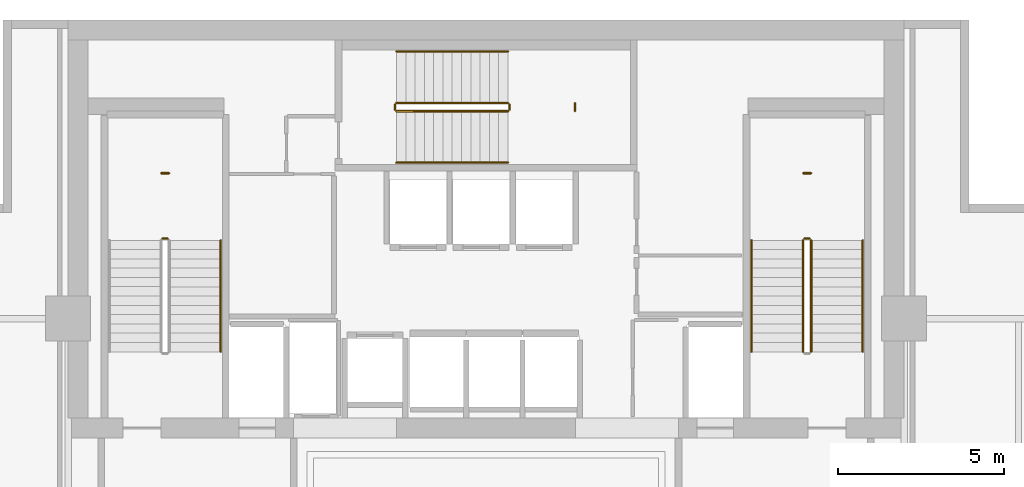
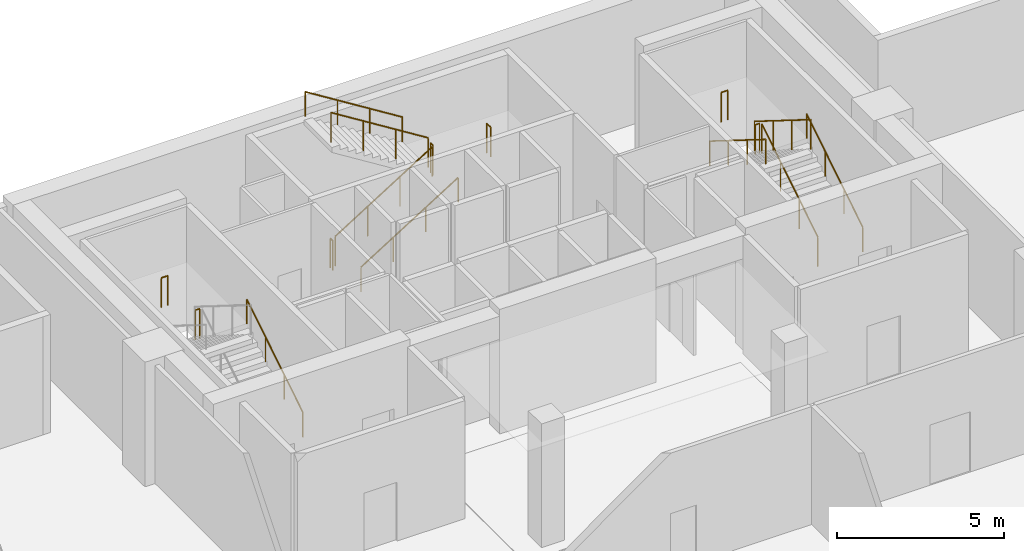
# One storey, part 23 of 23: 16 railings.
"""IFC4 building model written with IfcOpenShell, lengths in metres."""

from ifc_helpers import new_model, si_unit, direction, frame, origin, origin_2d, place, context, subcontext, project, spatial, circle, extrude, material, type_object, element, save


model = new_model("IFC4")

# Units and contexts
model_context = context("Model", 3, precision=1e-05, world=origin(), true_north=direction((0.0, 1.0)))
body_context = subcontext(model_context, "Body", "Model", "MODEL_VIEW")
ifc_project = project(units=[si_unit("LENGTHUNIT", "METRE"), si_unit("AREAUNIT", "SQUARE_METRE"), si_unit("VOLUMEUNIT", "CUBIC_METRE"), si_unit("PLANEANGLEUNIT", "RADIAN"), si_unit("MASSUNIT", "GRAM", prefix="KILO")], contexts=[model_context])

# Site, building, storey
site_placement = place(None, origin())
site = spatial("IfcSite", under=ifc_project, at=site_placement, CompositionType="ELEMENT")
building_placement = place(site_placement, origin())
building = spatial("IfcBuilding", under=site, at=building_placement, Name="Maruvema Waterfront Hotel and Observation Tower", CompositionType="ELEMENT")
storey_placement = place(building_placement, frame((0.0, 0.0, 345.10009765625)))
storey = spatial("IfcBuildingStorey", under=building, at=storey_placement, Name="L85", CompositionType="ELEMENT", Elevation=345.10009765625)

# Railings
ifc_material_1 = material(Name="Brushed stainless steel Grade 316", Category="steel")
railing_type_1 = type_object("IfcRailingType", Name="Ramp Continuous Wall Handrail 920 mm", PredefinedType="HANDRAIL", material=ifc_material_1)
railing_1_placement = place(storey_placement, frame((29.800048828125, 44.0, 0.1748046875)))
element("IfcRailing", 1, at=railing_1_placement, inside=storey, type_object=railing_type_1, Name="L85 ST-01 stair handrail 1", PredefinedType="HANDRAIL", context=body_context, shape_type="SweptSolid", body=[
    extrude(circle(Radius=0.02392578125, at=origin_2d()), frame((0.0, 0.0, 0.89599609375), z_axis=(0.0, 0.847994842521, 0.530004478338), x_axis=(-1.0, 0.0, 0.0)), (0.0, 0.0, 1.0), 3.96240234375),
    extrude(circle(Radius=0.02099609375, at=origin_2d()), origin(), (0.0, 0.0, 1.0), 0.871826171875),
    extrude(circle(Radius=0.02099609375, at=origin_2d()), frame((0.0, 1.1201171875, 0.699951171875)), (0.0, 0.0, 1.0), 0.871826171875),
    extrude(circle(Radius=0.02099609375, at=origin_2d()), frame((0.0, 2.239990234375, 1.400146484375)), (0.0, 0.0, 1.0), 0.871826171875),
    extrude(circle(Radius=0.02099609375, at=origin_2d()), frame((0.0, 3.360107421875, 2.10009765625)), (0.0, 0.0, 1.0), 0.871826171875),
])
railing_2_placement = place(storey_placement, frame((35.10009765625, 49.699951171875, 0.1748046875)))
element("IfcRailing", 2, at=railing_2_placement, inside=storey, type_object=railing_type_1, Name="L85 ST-02 stair handrail 1", PredefinedType="HANDRAIL", context=body_context, shape_type="SweptSolid", body=[
    extrude(circle(Radius=0.02392578125, at=origin_2d()), frame((0.0, 0.0, 0.89599609375), z_axis=(0.847977533471, 0.0, 0.530032171408), x_axis=(0.0, 1.0, 0.0)), (0.0, 0.0, 1.0), 3.962158203125),
    extrude(circle(Radius=0.02099609375, at=origin_2d()), origin(), (0.0, 0.0, 1.0), 0.871826171875),
    extrude(circle(Radius=0.02099609375, at=origin_2d()), frame((1.119873046875, 0.0, 0.699951171875)), (0.0, 0.0, 1.0), 0.871826171875),
    extrude(circle(Radius=0.02099609375, at=origin_2d()), frame((2.239990234375, 0.0, 1.400146484375)), (0.0, 0.0, 1.0), 0.871826171875),
    extrude(circle(Radius=0.02099609375, at=origin_2d()), frame((3.35986328125, 0.0, 2.10009765625)), (0.0, 0.0, 1.0), 0.871826171875),
])
railing_3_placement = place(storey_placement, frame((38.4599609375, 53.050048828125, 2.449951171875)))
element("IfcRailing", 3, at=railing_3_placement, inside=storey, type_object=railing_type_1, Name="L85 ST-02 stair handrail 2", PredefinedType="HANDRAIL", context=body_context, shape_type="SweptSolid", body=[
    extrude(circle(Radius=0.02392578125, at=origin_2d()), frame((0.0, 0.0, 0.89599609375), z_axis=(-0.848005227453, 0.0, 0.529987862325), x_axis=(0.0, -1.0, 0.0)), (0.0, 0.0, 1.0), 3.962158203125),
    extrude(circle(Radius=0.02099609375, at=origin_2d()), origin(), (0.0, 0.0, 1.0), 0.871826171875),
    extrude(circle(Radius=0.02099609375, at=origin_2d()), frame((-1.119873046875, 0.0, 0.699951171875)), (0.0, 0.0, 1.0), 0.871826171875),
    extrude(circle(Radius=0.02099609375, at=origin_2d()), frame((-2.239990234375, 0.0, 1.39990234375)), (0.0, 0.0, 1.0), 0.871826171875),
    extrude(circle(Radius=0.02099609375, at=origin_2d()), frame((-3.35986328125, 0.0, 2.099853515625)), (0.0, 0.0, 1.0), 0.871826171875),
])
railing_4_placement = place(storey_placement, frame((49.14990234375, 44.0, 0.1748046875)))
element("IfcRailing", 4, at=railing_4_placement, inside=storey, type_object=railing_type_1, Name="L85 ST-03 stair handrail 1", PredefinedType="HANDRAIL", context=body_context, shape_type="SweptSolid", body=[
    extrude(circle(Radius=0.02392578125, at=origin_2d()), frame((0.0, 0.0, 0.89599609375), z_axis=(0.0, 0.847994842521, 0.530004478338), x_axis=(-1.0, 0.0, 0.0)), (0.0, 0.0, 1.0), 3.96240234375),
    extrude(circle(Radius=0.02099609375, at=origin_2d()), origin(), (0.0, 0.0, 1.0), 0.871826171875),
    extrude(circle(Radius=0.02099609375, at=origin_2d()), frame((0.0, 1.1201171875, 0.699951171875)), (0.0, 0.0, 1.0), 0.871826171875),
    extrude(circle(Radius=0.02099609375, at=origin_2d()), frame((0.0, 2.239990234375, 1.400146484375)), (0.0, 0.0, 1.0), 0.871826171875),
    extrude(circle(Radius=0.02099609375, at=origin_2d()), frame((0.0, 3.360107421875, 2.10009765625)), (0.0, 0.0, 1.0), 0.871826171875),
])
railing_5_placement = place(storey_placement, frame((45.800048828125, 47.360107421875, 2.449951171875)))
element("IfcRailing", 5, at=railing_5_placement, inside=storey, type_object=railing_type_1, Name="L85 ST-03 stair handrail 2", PredefinedType="HANDRAIL", context=body_context, shape_type="SweptSolid", body=[
    extrude(circle(Radius=0.02392578125, at=origin_2d()), frame((0.0, 0.0, 0.89599609375), z_axis=(0.0, -0.848022534174, 0.529960169762), x_axis=(1.0, 0.0, 0.0)), (0.0, 0.0, 1.0), 3.96240234375),
    extrude(circle(Radius=0.02099609375, at=origin_2d()), origin(), (0.0, 0.0, 1.0), 0.871826171875),
    extrude(circle(Radius=0.02099609375, at=origin_2d()), frame((0.0, -1.1201171875, 0.699951171875)), (0.0, 0.0, 1.0), 0.871826171875),
    extrude(circle(Radius=0.02099609375, at=origin_2d()), frame((0.0, -2.239990234375, 1.39990234375)), (0.0, 0.0, 1.0), 0.871826171875),
    extrude(circle(Radius=0.02099609375, at=origin_2d()), frame((0.0, -3.360107421875, 2.099853515625)), (0.0, 0.0, 1.0), 0.871826171875),
])
ifc_material_2 = material(Name="Brushed stainless steel Grade 316", Category="steel")
railing_type_2 = type_object("IfcRailingType", Name="Ramp and Terrace Guard Balustrade 1100 mm", PredefinedType="BALUSTRADE", material=ifc_material_2)
railing_6_placement = place(storey_placement, frame((28.199951171875, 47.409912109375, 2.27490234375)))
element("IfcRailing", 6, at=railing_6_placement, inside=storey, type_object=railing_type_2, Name="L85 ST-01 stair guard 2", PredefinedType="BALUSTRADE", context=body_context, shape_type="SweptSolid", body=[
    extrude(circle(Radius=0.02392578125, at=origin_2d()), frame((0.0, 0.0, 1.076171875), z_axis=(-1.0, 0.0, 0.0), x_axis=(0.0, -1.0, 0.0)), (0.0, 0.0, 1.0), 0.14990234375),
    extrude(circle(Radius=0.02099609375, at=origin_2d()), origin(), (0.0, 0.0, 1.0), 1.052001953125),
    extrude(circle(Radius=0.02099609375, at=origin_2d()), frame((-0.14990234375, 0.0, 0.0)), (0.0, 0.0, 1.0), 1.052001953125),
])
railing_7_placement = place(storey_placement, frame((28.239990234375, 49.3798828125, 2.27490234375)))
element("IfcRailing", 7, at=railing_7_placement, inside=storey, type_object=railing_type_2, Name="L85 ST-01 Half-Landing Slot Guard", PredefinedType="BALUSTRADE", context=body_context, shape_type="SweptSolid", body=[
    extrude(circle(Radius=0.02392578125, at=origin_2d()), frame((0.0, 0.0, 1.076171875), z_axis=(-1.0, 0.0, 0.0), x_axis=(0.0, -1.0, 0.0)), (0.0, 0.0, 1.0), 0.22998046875),
    extrude(circle(Radius=0.02099609375, at=origin_2d()), origin(), (0.0, 0.0, 1.0), 1.052001953125),
    extrude(circle(Radius=0.02099609375, at=origin_2d()), frame((-0.22998046875, 0.0, 0.0)), (0.0, 0.0, 1.0), 1.052001953125),
])
railing_8_placement = place(storey_placement, frame((35.10009765625, 51.25, 0.1748046875)))
element("IfcRailing", 8, at=railing_8_placement, inside=storey, type_object=railing_type_2, Name="L85 ST-02 stair guard 1", PredefinedType="BALUSTRADE", context=body_context, shape_type="SweptSolid", body=[
    extrude(circle(Radius=0.02392578125, at=origin_2d()), frame((0.0, 0.0, 1.076171875), z_axis=(0.847977533471, 0.0, 0.530032171408), x_axis=(0.0, 1.0, 0.0)), (0.0, 0.0, 1.0), 3.962158203125),
    extrude(circle(Radius=0.02099609375, at=origin_2d()), origin(), (0.0, 0.0, 1.0), 1.052001953125),
    extrude(circle(Radius=0.02099609375, at=origin_2d()), frame((1.119873046875, 0.0, 0.699951171875)), (0.0, 0.0, 1.0), 1.052001953125),
    extrude(circle(Radius=0.02099609375, at=origin_2d()), frame((2.239990234375, 0.0, 1.400146484375)), (0.0, 0.0, 1.0), 1.052001953125),
    extrude(circle(Radius=0.02099609375, at=origin_2d()), frame((3.35986328125, 0.0, 2.10009765625)), (0.0, 0.0, 1.0), 1.052001953125),
])
railing_9_placement = place(storey_placement, frame((38.510009765625, 51.300048828125, 2.27490234375)))
element("IfcRailing", 9, at=railing_9_placement, inside=storey, type_object=railing_type_2, Name="L85 ST-02 stair guard 2", PredefinedType="BALUSTRADE", context=body_context, shape_type="SweptSolid", body=[
    extrude(circle(Radius=0.02392578125, at=origin_2d()), frame((0.0, 0.0, 1.076171875), z_axis=(0.0, 1.0, 0.0), x_axis=(-1.0, 0.0, 0.0)), (0.0, 0.0, 1.0), 0.14990234375),
    extrude(circle(Radius=0.02099609375, at=origin_2d()), origin(), (0.0, 0.0, 1.0), 1.052001953125),
    extrude(circle(Radius=0.02099609375, at=origin_2d()), frame((0.0, 0.14990234375, 0.0)), (0.0, 0.0, 1.0), 1.052001953125),
])
railing_10_placement = place(storey_placement, frame((38.4599609375, 51.5, 2.449951171875)))
element("IfcRailing", 10, at=railing_10_placement, inside=storey, type_object=railing_type_2, Name="L85 ST-02 stair guard 3", PredefinedType="BALUSTRADE", context=body_context, shape_type="SweptSolid", body=[
    extrude(circle(Radius=0.02392578125, at=origin_2d()), frame((0.0, 0.0, 1.076171875), z_axis=(-0.848005227453, 0.0, 0.529987862325), x_axis=(0.0, -1.0, 0.0)), (0.0, 0.0, 1.0), 3.962158203125),
    extrude(circle(Radius=0.02099609375, at=origin_2d()), origin(), (0.0, 0.0, 1.0), 1.052001953125),
    extrude(circle(Radius=0.02099609375, at=origin_2d()), frame((-1.119873046875, 0.0, 0.699951171875)), (0.0, 0.0, 1.0), 1.052001953125),
    extrude(circle(Radius=0.02099609375, at=origin_2d()), frame((-2.239990234375, 0.0, 1.39990234375)), (0.0, 0.0, 1.0), 1.052001953125),
    extrude(circle(Radius=0.02099609375, at=origin_2d()), frame((-3.35986328125, 0.0, 2.099853515625)), (0.0, 0.0, 1.0), 1.052001953125),
])
railing_11_placement = place(storey_placement, frame((35.050048828125, 51.300048828125, 0.0)))
element("IfcRailing", 11, at=railing_11_placement, inside=storey, type_object=railing_type_2, Name="L85 ST-02 stair guard 4", PredefinedType="BALUSTRADE", context=body_context, shape_type="SweptSolid", body=[
    extrude(circle(Radius=0.02392578125, at=origin_2d()), frame((0.0, 0.0, 1.076171875), z_axis=(0.0, 1.0, 0.0), x_axis=(-1.0, 0.0, 0.0)), (0.0, 0.0, 1.0), 0.14990234375),
    extrude(circle(Radius=0.02099609375, at=origin_2d()), origin(), (0.0, 0.0, 1.0), 1.052001953125),
    extrude(circle(Radius=0.02099609375, at=origin_2d()), frame((0.0, 0.14990234375, 0.0)), (0.0, 0.0, 1.0), 1.052001953125),
])
railing_12_placement = place(storey_placement, frame((40.47998046875, 51.260009765625, 2.27490234375)))
element("IfcRailing", 12, at=railing_12_placement, inside=storey, type_object=railing_type_2, Name="L85 ST-02 Half-Landing Slot Guard", PredefinedType="BALUSTRADE", context=body_context, shape_type="SweptSolid", body=[
    extrude(circle(Radius=0.02392578125, at=origin_2d()), frame((0.0, 0.0, 1.076171875), z_axis=(0.0, 1.0, 0.0), x_axis=(-1.0, 0.0, 0.0)), (0.0, 0.0, 1.0), 0.22998046875),
    extrude(circle(Radius=0.02099609375, at=origin_2d()), origin(), (0.0, 0.0, 1.0), 1.052001953125),
    extrude(circle(Radius=0.02099609375, at=origin_2d()), frame((0.0, 0.22998046875, 0.0)), (0.0, 0.0, 1.0), 1.052001953125),
])
railing_13_placement = place(storey_placement, frame((47.60009765625, 44.0, 0.1748046875)))
element("IfcRailing", 13, at=railing_13_placement, inside=storey, type_object=railing_type_2, Name="L85 ST-03 stair guard 1", PredefinedType="BALUSTRADE", context=body_context, shape_type="SweptSolid", body=[
    extrude(circle(Radius=0.02392578125, at=origin_2d()), frame((0.0, 0.0, 1.076171875), z_axis=(0.0, 0.847994842521, 0.530004478338), x_axis=(-1.0, 0.0, 0.0)), (0.0, 0.0, 1.0), 3.96240234375),
    extrude(circle(Radius=0.02099609375, at=origin_2d()), origin(), (0.0, 0.0, 1.0), 1.052001953125),
    extrude(circle(Radius=0.02099609375, at=origin_2d()), frame((0.0, 1.1201171875, 0.699951171875)), (0.0, 0.0, 1.0), 1.052001953125),
    extrude(circle(Radius=0.02099609375, at=origin_2d()), frame((0.0, 2.239990234375, 1.400146484375)), (0.0, 0.0, 1.0), 1.052001953125),
    extrude(circle(Radius=0.02099609375, at=origin_2d()), frame((0.0, 3.360107421875, 2.10009765625)), (0.0, 0.0, 1.0), 1.052001953125),
])
railing_14_placement = place(storey_placement, frame((47.550048828125, 47.409912109375, 2.27490234375)))
element("IfcRailing", 14, at=railing_14_placement, inside=storey, type_object=railing_type_2, Name="L85 ST-03 stair guard 2", PredefinedType="BALUSTRADE", context=body_context, shape_type="SweptSolid", body=[
    extrude(circle(Radius=0.02392578125, at=origin_2d()), frame((0.0, 0.0, 1.076171875), z_axis=(-1.0, 0.0, 0.0), x_axis=(0.0, -1.0, 0.0)), (0.0, 0.0, 1.0), 0.150146484375),
    extrude(circle(Radius=0.02099609375, at=origin_2d()), origin(), (0.0, 0.0, 1.0), 1.052001953125),
    extrude(circle(Radius=0.02099609375, at=origin_2d()), frame((-0.150146484375, 0.0, 0.0)), (0.0, 0.0, 1.0), 1.052001953125),
])
railing_15_placement = place(storey_placement, frame((47.35009765625, 47.360107421875, 2.449951171875)))
element("IfcRailing", 15, at=railing_15_placement, inside=storey, type_object=railing_type_2, Name="L85 ST-03 stair guard 3", PredefinedType="BALUSTRADE", context=body_context, shape_type="SweptSolid", body=[
    extrude(circle(Radius=0.02392578125, at=origin_2d()), frame((0.0, 0.0, 1.076171875), z_axis=(0.0, -0.848022534174, 0.529960169762), x_axis=(1.0, 0.0, 0.0)), (0.0, 0.0, 1.0), 3.96240234375),
    extrude(circle(Radius=0.02099609375, at=origin_2d()), origin(), (0.0, 0.0, 1.0), 1.052001953125),
    extrude(circle(Radius=0.02099609375, at=origin_2d()), frame((0.0, -1.1201171875, 0.699951171875)), (0.0, 0.0, 1.0), 1.052001953125),
    extrude(circle(Radius=0.02099609375, at=origin_2d()), frame((0.0, -2.239990234375, 1.39990234375)), (0.0, 0.0, 1.0), 1.052001953125),
    extrude(circle(Radius=0.02099609375, at=origin_2d()), frame((0.0, -3.360107421875, 2.099853515625)), (0.0, 0.0, 1.0), 1.052001953125),
])
railing_16_placement = place(storey_placement, frame((47.590087890625, 49.3798828125, 2.27490234375)))
element("IfcRailing", 16, at=railing_16_placement, inside=storey, type_object=railing_type_2, Name="L85 ST-03 Half-Landing Slot Guard", PredefinedType="BALUSTRADE", context=body_context, shape_type="SweptSolid", body=[
    extrude(circle(Radius=0.02392578125, at=origin_2d()), frame((0.0, 0.0, 1.076171875), z_axis=(-1.0, 0.0, 0.0), x_axis=(0.0, -1.0, 0.0)), (0.0, 0.0, 1.0), 0.22998046875),
    extrude(circle(Radius=0.02099609375, at=origin_2d()), origin(), (0.0, 0.0, 1.0), 1.052001953125),
    extrude(circle(Radius=0.02099609375, at=origin_2d()), frame((-0.22998046875, 0.0, 0.0)), (0.0, 0.0, 1.0), 1.052001953125),
])

save(model, "model.ifc")
